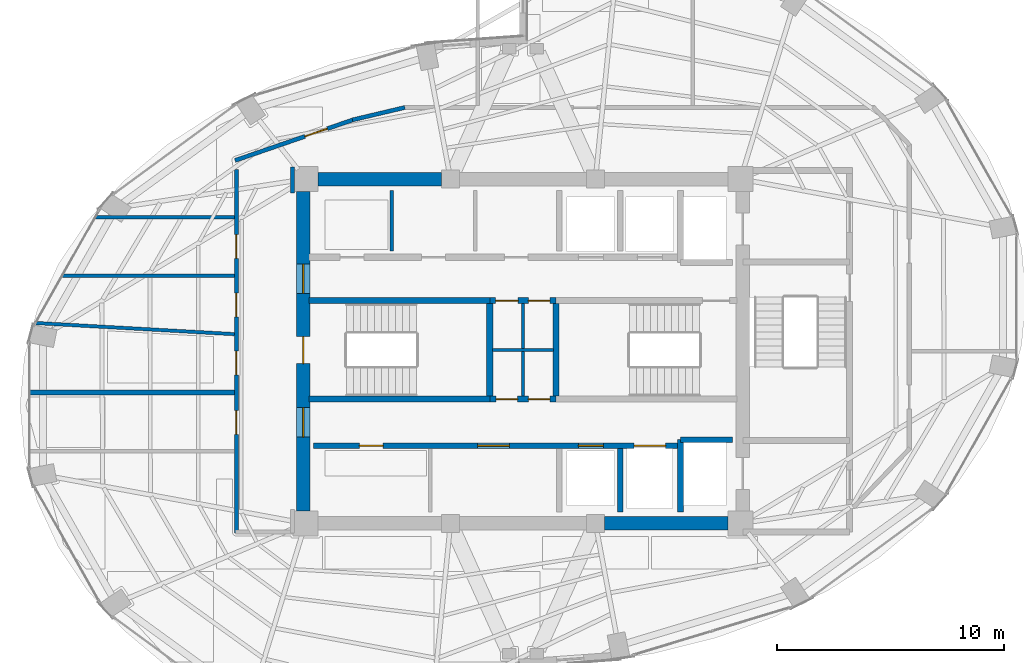
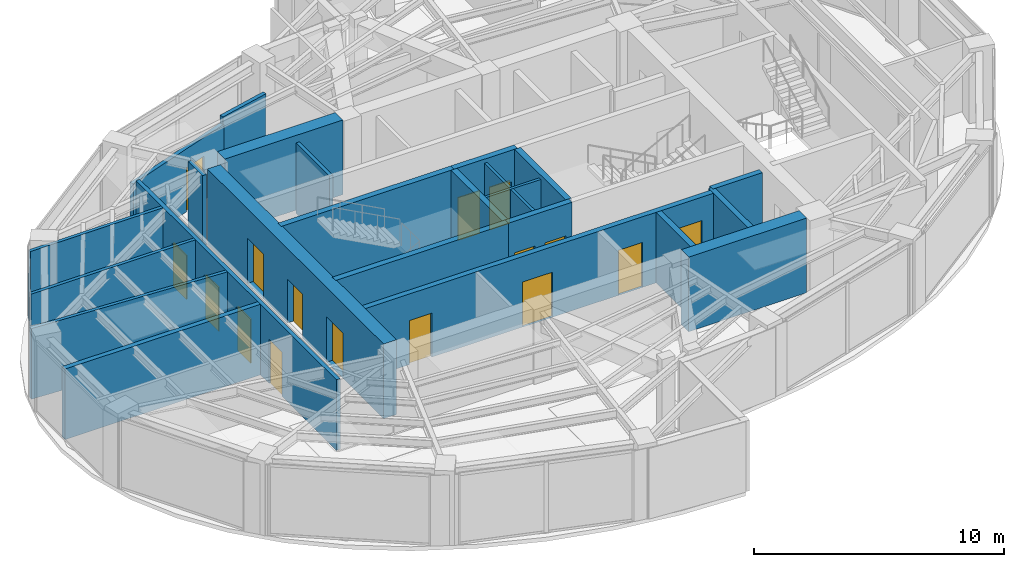
# One storey, part 19 of 23: 24 walls, 16 doors, 16 openings.
"""IFC4 building model written with IfcOpenShell, lengths in metres."""

from ifc_helpers import new_model, si_unit, direction, frame, frame_2d, origin, place, context, subcontext, project, spatial, rectangle, extrude, material, layer, layer_set, type_object, element, fill, save


model = new_model("IFC4")

# Units and contexts
model_context = context("Model", 3, precision=1e-05, world=origin(), true_north=direction((0.0, 1.0)))
body_context = subcontext(model_context, "Body", "Model", "MODEL_VIEW")
ifc_project = project(units=[si_unit("LENGTHUNIT", "METRE"), si_unit("AREAUNIT", "SQUARE_METRE"), si_unit("VOLUMEUNIT", "CUBIC_METRE"), si_unit("PLANEANGLEUNIT", "RADIAN"), si_unit("MASSUNIT", "GRAM", prefix="KILO")], contexts=[model_context])

# Site, building, storey
site_placement = place(None, origin())
site = spatial("IfcSite", under=ifc_project, at=site_placement, CompositionType="ELEMENT")
building_placement = place(site_placement, origin())
building = spatial("IfcBuilding", under=site, at=building_placement, Name="Lazwardi Medical Tower", CompositionType="ELEMENT")
storey_placement = place(building_placement, frame((0.0, 0.0, 213.072021484375)))
storey = spatial("IfcBuildingStorey", under=building, at=storey_placement, Name="L55", CompositionType="ELEMENT", Elevation=213.072021484375)

# Wall, opening, door
ifc_material_1 = material(Name="Fire-rated gypsum board on steel stud", Category="steel")
ifc_layer_1 = layer(ifc_material_1, 0.179931640625)
ifc_layer_set_1 = layer_set([ifc_layer_1], Name="Fire-rated gypsum board on steel stud")
wall_type_1 = type_object("IfcWallType", Name="WL-COR-180", PredefinedType="PARTITIONING", material=ifc_layer_set_1)
wall_1_placement = place(storey_placement, frame((23.294189453125, 36.422119140625, 0.0), z_axis=(0.0, 0.0, 1.0), x_axis=(0.945493277461, 0.325641616316, 0.0)))
wall_1 = element("IfcWall", 1, at=wall_1_placement, inside=storey, type_object=wall_type_1, Name="L55 Corridor partition 1", PredefinedType="PARTITIONING", context=body_context, shape_type="SweptSolid", body=[
    extrude(rectangle(XDim=5.5615234375, YDim=0.179931640625, at=frame_2d((2.78076171875, 0.0))), origin(), (0.0, 0.0, 1.0), 3.072998046875),
])
opening_1_placement = place(wall_1_placement, frame((3.255859375, 0.0, 0.0)))
opening_1 = element("IfcOpeningElement", 2, at=opening_1_placement, cuts=wall_1, Name="Opening D-L55-019", PredefinedType="OPENING", context=body_context, shape_type="SweptSolid", body=[
    extrude(rectangle(XDim=1.050048828125, YDim=2.14990234375, at=frame_2d((0.52490234375, 1.074951171875))), frame((0.0, 0.099853515625, 0.0), z_axis=(0.0, -1.0, 0.0), x_axis=(1.0, 0.0, 0.0)), (0.0, 0.0, 1.0), 0.199951171875),
])
ifc_material_2 = material(Name="Anti-microbial laminate hospital leaf")
door_type_1 = type_object("IfcDoorType", Name="DR-CLN-1050", OperationType="NOTDEFINED", PredefinedType="DOOR", material=ifc_material_2)
door_1_placement = place(opening_1_placement, origin())
door_1 = element("IfcDoor", 3, at=door_1_placement, inside=storey, type_object=door_type_1, Name="L55 Outpatient Consultation Suite Door 06", OperationType="SINGLE_SWING_RIGHT", OverallHeight=2.14990234375, OverallWidth=1.050048828125, PredefinedType="DOOR", context=body_context, shape_type="SweptSolid", body=[
    extrude(rectangle(XDim=1.050048828125, YDim=2.14990234375, at=frame_2d((0.52490234375, 1.074951171875))), frame((0.0, 0.02490234375, 0.0), z_axis=(0.0, -1.0, 0.0), x_axis=(1.0, 0.0, 0.0)), (0.0, 0.0, 1.0), 0.050048828125),
])
fill(opening_1, door_1)

# Walls
wall_2_placement = place(storey_placement, frame((28.475830078125, 38.2109375, 0.0), z_axis=(0.0, 0.0, 1.0), x_axis=(0.973030562203, 0.230676234189, 0.0)))
element("IfcWall", 4, at=wall_2_placement, inside=storey, type_object=wall_type_1, Name="L55 Corridor partition 2", PredefinedType="PARTITIONING", context=body_context, shape_type="SweptSolid", body=[
    extrude(rectangle(XDim=2.377197265625, YDim=0.179931640625, at=frame_2d((1.1884765625, 0.0))), origin(), (0.0, 0.0, 1.0), 3.447998046875),
])
wall_3_placement = place(storey_placement, frame((25.830078125, 36.139892578125, 0.0), z_axis=(0.0, 0.0, 1.0), x_axis=(0.0, -1.0, 0.0)))
element("IfcWall", 5, at=wall_3_placement, inside=storey, type_object=wall_type_1, Name="L55 Corridor partition 7", PredefinedType="PARTITIONING", context=body_context, shape_type="SweptSolid", body=[
    extrude(rectangle(XDim=1.14990234375, YDim=0.179931640625, at=frame_2d((0.574951171875, 0.0))), origin(), (0.0, 0.0, 1.0), 3.447998046875),
])

# Wall, openings, doors
wall_4_placement = place(storey_placement, frame((23.35009765625, 19.97998046875, 0.0), z_axis=(0.0, 0.0, 1.0), x_axis=(0.0, 1.0, 0.0)))
wall_4 = element("IfcWall", 6, at=wall_4_placement, inside=storey, type_object=wall_type_1, Name="L55 Corridor partition 10", PredefinedType="PARTITIONING", context=body_context, shape_type="SweptSolid", body=[
    extrude(rectangle(XDim=16.04248046875, YDim=0.179931640625, at=frame_2d((8.021240234375, 0.0))), origin(), (0.0, 0.0, 1.0), 3.447998046875),
])
opening_2_placement = place(wall_4_placement, frame((6.974853515625, 0.0, 0.0)))
opening_2 = element("IfcOpeningElement", 7, at=opening_2_placement, cuts=wall_4, Name="Opening D-L55-014", PredefinedType="OPENING", context=body_context, shape_type="SweptSolid", body=[
    extrude(rectangle(XDim=1.050048828125, YDim=2.14990234375, at=frame_2d((0.52490234375, 1.074951171875))), frame((0.0, 0.099853515625, 0.0), z_axis=(0.0, -1.0, 0.0), x_axis=(1.0, 0.0, 0.0)), (0.0, 0.0, 1.0), 0.199951171875),
])
opening_3_placement = place(wall_4_placement, frame((4.3525390625, 0.0, 0.0)))
opening_3 = element("IfcOpeningElement", 8, at=opening_3_placement, cuts=wall_4, Name="Opening D-L55-015", PredefinedType="OPENING", context=body_context, shape_type="SweptSolid", body=[
    extrude(rectangle(XDim=1.050048828125, YDim=2.14990234375, at=frame_2d((0.52490234375, 1.074951171875))), frame((0.0, 0.099853515625, 0.0), z_axis=(0.0, -1.0, 0.0), x_axis=(1.0, 0.0, 0.0)), (0.0, 0.0, 1.0), 0.199951171875),
])
opening_4_placement = place(wall_4_placement, frame((12.1201171875, 0.0, 0.0)))
opening_4 = element("IfcOpeningElement", 9, at=opening_4_placement, cuts=wall_4, Name="Opening D-L55-020", PredefinedType="OPENING", context=body_context, shape_type="SweptSolid", body=[
    extrude(rectangle(XDim=1.050048828125, YDim=2.14990234375, at=frame_2d((0.52490234375, 1.074951171875))), frame((0.0, 0.099853515625, 0.0), z_axis=(0.0, -1.0, 0.0), x_axis=(1.0, 0.0, 0.0)), (0.0, 0.0, 1.0), 0.199951171875),
])
opening_5_placement = place(wall_4_placement, frame((9.537109375, 0.0, 0.0)))
opening_5 = element("IfcOpeningElement", 10, at=opening_5_placement, cuts=wall_4, Name="Opening D-L55-021", PredefinedType="OPENING", context=body_context, shape_type="SweptSolid", body=[
    extrude(rectangle(XDim=1.050048828125, YDim=2.14990234375, at=frame_2d((0.52490234375, 1.074951171875))), frame((0.0, 0.099853515625, 0.0), z_axis=(0.0, -1.0, 0.0), x_axis=(1.0, 0.0, 0.0)), (0.0, 0.0, 1.0), 0.199951171875),
])
door_2_placement = place(opening_2_placement, origin())
door_2 = element("IfcDoor", 11, at=door_2_placement, inside=storey, type_object=door_type_1, Name="L55 Outpatient Consultation Suite Door 01", OperationType="SINGLE_SWING_LEFT", OverallHeight=2.14990234375, OverallWidth=1.050048828125, PredefinedType="DOOR", context=body_context, shape_type="SweptSolid", body=[
    extrude(rectangle(XDim=1.050048828125, YDim=2.14990234375, at=frame_2d((0.52490234375, 1.074951171875))), frame((0.0, 0.02490234375, 0.0), z_axis=(0.0, -1.0, 0.0), x_axis=(1.0, 0.0, 0.0)), (0.0, 0.0, 1.0), 0.050048828125),
])
fill(opening_2, door_2)
door_3_placement = place(opening_3_placement, origin())
door_3 = element("IfcDoor", 12, at=door_3_placement, inside=storey, type_object=door_type_1, Name="L55 Outpatient Clinic Door 02", OperationType="SINGLE_SWING_RIGHT", OverallHeight=2.14990234375, OverallWidth=1.050048828125, PredefinedType="DOOR", context=body_context, shape_type="SweptSolid", body=[
    extrude(rectangle(XDim=1.050048828125, YDim=2.14990234375, at=frame_2d((0.52490234375, 1.074951171875))), frame((0.0, 0.02490234375, 0.0), z_axis=(0.0, -1.0, 0.0), x_axis=(1.0, 0.0, 0.0)), (0.0, 0.0, 1.0), 0.050048828125),
])
fill(opening_3, door_3)
door_4_placement = place(opening_4_placement, origin())
door_4 = element("IfcDoor", 13, at=door_4_placement, inside=storey, type_object=door_type_1, Name="L55 Outpatient Consultation Suite Door 07", OperationType="SINGLE_SWING_LEFT", OverallHeight=2.14990234375, OverallWidth=1.050048828125, PredefinedType="DOOR", context=body_context, shape_type="SweptSolid", body=[
    extrude(rectangle(XDim=1.050048828125, YDim=2.14990234375, at=frame_2d((0.52490234375, 1.074951171875))), frame((0.0, 0.02490234375, 0.0), z_axis=(0.0, -1.0, 0.0), x_axis=(1.0, 0.0, 0.0)), (0.0, 0.0, 1.0), 0.050048828125),
])
fill(opening_4, door_4)
door_5_placement = place(opening_5_placement, origin())
door_5 = element("IfcDoor", 14, at=door_5_placement, inside=storey, type_object=door_type_1, Name="L55 Outpatient Consultation Suite Door 08", OperationType="SINGLE_SWING_RIGHT", OverallHeight=2.14990234375, OverallWidth=1.050048828125, PredefinedType="DOOR", context=body_context, shape_type="SweptSolid", body=[
    extrude(rectangle(XDim=1.050048828125, YDim=2.14990234375, at=frame_2d((0.52490234375, 1.074951171875))), frame((0.0, 0.02490234375, 0.0), z_axis=(0.0, -1.0, 0.0), x_axis=(1.0, 0.0, 0.0)), (0.0, 0.0, 1.0), 0.050048828125),
])
fill(opening_5, door_5)

ifc_material_3 = material(Name="Concrete C60/75", Category="concrete")
ifc_layer_2 = layer(ifc_material_3, 0.60009765625)
ifc_layer_set_2 = layer_set([ifc_layer_2], Name="Concrete C60/75")
wall_type_2 = type_object("IfcWallType", Name="WL-CORE-600", PredefinedType="SHEAR", material=ifc_layer_set_2)
wall_5_placement = place(storey_placement, frame((26.300048828125, 20.949951171875, 0.0), z_axis=(0.0, 0.0, 1.0), x_axis=(0.0, 1.0, 0.0)))
wall_5 = element("IfcWall", 15, at=wall_5_placement, inside=storey, type_object=wall_type_2, Name="Core wall CW-S3 west L55", PredefinedType="SHEAR", context=body_context, shape_type="SweptSolid", body=[
    extrude(rectangle(XDim=14.10009765625, YDim=0.60009765625, at=frame_2d((7.050048828125, 0.0))), origin(), (0.0, 0.0, 1.0), 3.64794921875),
])
opening_6_placement = place(wall_5_placement, frame((6.5, 0.0, 0.0)))
opening_6 = element("IfcOpeningElement", 16, at=opening_6_placement, cuts=wall_5, Name="Opening D-L55-022", PredefinedType="OPENING", context=body_context, shape_type="SweptSolid", body=[
    extrude(rectangle(XDim=1.199951171875, YDim=2.14990234375, at=frame_2d((0.60009765625, 1.074951171875))), frame((0.0, 0.31005859375, 0.0), z_axis=(0.0, -1.0, 0.0), x_axis=(1.0, 0.0, 0.0)), (0.0, 0.0, 1.0), 0.6201171875),
])
opening_7_placement = place(wall_5_placement, frame((9.60009765625, 0.0, 0.0)))
opening_7 = element("IfcOpeningElement", 17, at=opening_7_placement, cuts=wall_5, Name="Opening D-L55-012", PredefinedType="OPENING", context=body_context, shape_type="SweptSolid", body=[
    extrude(rectangle(XDim=1.300048828125, YDim=2.199951171875, at=frame_2d((0.64990234375, 1.10009765625))), frame((0.0, 0.31005859375, 0.0), z_axis=(0.0, -1.0, 0.0), x_axis=(1.0, 0.0, 0.0)), (0.0, 0.0, 1.0), 0.6201171875),
])
opening_8_placement = place(wall_5_placement, frame((3.260009765625, 0.0, 0.0)))
opening_8 = element("IfcOpeningElement", 18, at=opening_8_placement, cuts=wall_5, Name="Opening D-L55-013", PredefinedType="OPENING", context=body_context, shape_type="SweptSolid", body=[
    extrude(rectangle(XDim=1.300048828125, YDim=2.199951171875, at=frame_2d((0.64990234375, 1.10009765625))), frame((0.0, 0.31005859375, 0.0), z_axis=(0.0, -1.0, 0.0), x_axis=(1.0, 0.0, 0.0)), (0.0, 0.0, 1.0), 0.6201171875),
])
ifc_material_4 = material(Name="Fire-rated steel leaf and frame", Category="steel")
door_type_2 = type_object("IfcDoorType", Name="DR-FFL-1300", OperationType="NOTDEFINED", PredefinedType="DOOR", material=ifc_material_4)
door_6_placement = place(opening_7_placement, origin())
door_6 = element("IfcDoor", 19, at=door_6_placement, inside=storey, type_object=door_type_2, Name="L55 North Lift Lobby Door", OperationType="SINGLE_SWING_LEFT", OverallHeight=2.199951171875, OverallWidth=1.300048828125, PredefinedType="DOOR", context=body_context, shape_type="SweptSolid", body=[
    extrude(rectangle(XDim=1.300048828125, YDim=2.199951171875, at=frame_2d((0.64990234375, 1.10009765625))), frame((0.0, 0.02490234375, 0.0), z_axis=(0.0, -1.0, 0.0), x_axis=(1.0, 0.0, 0.0)), (0.0, 0.0, 1.0), 0.050048828125),
])
fill(opening_7, door_6)
door_7_placement = place(opening_8_placement, origin())
door_7 = element("IfcDoor", 20, at=door_7_placement, inside=storey, type_object=door_type_2, Name="L55 South Lift Lobby Door", OperationType="SINGLE_SWING_RIGHT", OverallHeight=2.199951171875, OverallWidth=1.300048828125, PredefinedType="DOOR", context=body_context, shape_type="SweptSolid", body=[
    extrude(rectangle(XDim=1.300048828125, YDim=2.199951171875, at=frame_2d((0.64990234375, 1.10009765625))), frame((0.0, 0.02490234375, 0.0), z_axis=(0.0, -1.0, 0.0), x_axis=(1.0, 0.0, 0.0)), (0.0, 0.0, 1.0), 0.050048828125),
])
fill(opening_8, door_7)
door_type_3 = type_object("IfcDoorType", Name="DR-STR-1200", OperationType="NOTDEFINED", PredefinedType="DOOR", material=ifc_material_4)
door_8_placement = place(opening_6_placement, origin())
door_8 = element("IfcDoor", 21, at=door_8_placement, inside=storey, type_object=door_type_3, Name="L55 Exit Stair ST1 Door", OperationType="SINGLE_SWING_LEFT", OverallHeight=2.14990234375, OverallWidth=1.199951171875, PredefinedType="DOOR", context=body_context, shape_type="SweptSolid", body=[
    extrude(rectangle(XDim=1.199951171875, YDim=2.14990234375, at=frame_2d((0.60009765625, 1.074951171875))), frame((0.0, 0.02490234375, 0.0), z_axis=(0.0, -1.0, 0.0), x_axis=(1.0, 0.0, 0.0)), (0.0, 0.0, 1.0), 0.050048828125),
])
fill(opening_6, door_8)

# Walls
for number, where, z_axis, x_axis, name in (
    (22, (26.949951171875, 35.60009765625, 0.0), (0.0, 0.0, 1.0), (1.0, 0.0, 0.0), "Core wall CW-S3 N1 L55"),
    (23, (39.60009765625, 20.39990234375, 0.0), (0.0, 0.0, 1.0), (1.0, 0.0, 0.0), "Core wall CW-S3 S3 L55"),
):
    element("IfcWall", number, at=place(storey_placement, frame(where, z_axis=z_axis, x_axis=x_axis)), inside=storey, type_object=wall_type_2, Name=name, PredefinedType="SHEAR", context=body_context, shape_type="SweptSolid", body=[
        extrude(rectangle(XDim=5.449951171875, YDim=0.60009765625, at=frame_2d((2.72509765625, 0.0))), origin(), (0.0, 0.0, 1.0), 3.64794921875),
    ])
ifc_material_5 = material(Name="Moisture-resistant gypsum board partition")
ifc_layer_3 = layer(ifc_material_5, 0.125)
ifc_layer_set_3 = layer_set([ifc_layer_3], Name="Moisture-resistant gypsum board partition")
wall_type_3 = type_object("IfcWallType", Name="WL-ENS-125", PredefinedType="PARTITIONING", material=ifc_layer_set_3)
wall_6_placement = place(storey_placement, frame((34.64990234375, 28.06005859375, 0.0), z_axis=(0.0, 0.0, 1.0), x_axis=(1.0, 0.0, 0.0)))
element("IfcWall", 24, at=wall_6_placement, inside=storey, type_object=wall_type_3, Name="L55 Core 4-way H divider", PredefinedType="PARTITIONING", context=body_context, shape_type="SweptSolid", body=[
    extrude(rectangle(XDim=2.7001953125, YDim=0.125, at=frame_2d((1.35009765625, 0.0))), origin(), (0.0, 0.0, 1.0), 3.447998046875),
])
wall_7_placement = place(storey_placement, frame((36.0, 26.02001953125, 0.0), z_axis=(0.0, 0.0, 1.0), x_axis=(0.0, 1.0, 0.0)))
element("IfcWall", 25, at=wall_7_placement, inside=storey, type_object=wall_type_3, Name="L55 Core 4-way V divider", PredefinedType="PARTITIONING", context=body_context, shape_type="SweptSolid", body=[
    extrude(rectangle(XDim=4.080078125, YDim=0.125, at=frame_2d((2.0400390625, 0.0))), origin(), (0.0, 0.0, 1.0), 3.447998046875),
])

# Wall, openings, doors
ifc_material_6 = material(Name="Autoclaved aerated concrete blockwork", Category="masonry")
ifc_layer_4 = layer(ifc_material_6, 0.25)
ifc_layer_set_4 = layer_set([ifc_layer_4], Name="Autoclaved aerated concrete blockwork")
wall_type_4 = type_object("IfcWallType", Name="WL-SHAFT-250", PredefinedType="SOLIDWALL", material=ifc_layer_set_4)
wall_8_placement = place(storey_placement, frame((26.75, 23.830078125, 0.0), z_axis=(0.0, 0.0, 1.0), x_axis=(1.0, 0.0, 0.0)))
wall_8 = element("IfcWall", 26, at=wall_8_placement, inside=storey, type_object=wall_type_4, Name="L55 South lift bank front wall", PredefinedType="SOLIDWALL", context=body_context, shape_type="SweptSolid", body=[
    extrude(rectangle(XDim=16.199951171875, YDim=0.25, at=frame_2d((8.10009765625, 0.0))), origin(), (0.0, 0.0, 1.0), 3.447998046875),
])
opening_9_placement = place(wall_8_placement, frame((2.02490234375, 0.0, 0.0)))
opening_9 = element("IfcOpeningElement", 27, at=opening_9_placement, cuts=wall_8, Name="Opening D-L55-008", PredefinedType="OPENING", context=body_context, shape_type="SweptSolid", body=[
    extrude(rectangle(XDim=1.050048828125, YDim=2.14990234375, at=frame_2d((0.52490234375, 1.074951171875))), frame((0.0, 0.135009765625, 0.0), z_axis=(0.0, -1.0, 0.0), x_axis=(1.0, 0.0, 0.0)), (0.0, 0.0, 1.0), 0.27001953125),
])
opening_10_placement = place(wall_8_placement, frame((7.25, 0.0, 0.0)))
opening_10 = element("IfcOpeningElement", 28, at=opening_10_placement, cuts=wall_8, Name="Opening D-L55-009", PredefinedType="OPENING", context=body_context, shape_type="SweptSolid", body=[
    extrude(rectangle(XDim=1.39990234375, YDim=2.199951171875, at=frame_2d((0.699951171875, 1.10009765625))), frame((0.0, 0.135009765625, 0.0), z_axis=(0.0, -1.0, 0.0), x_axis=(1.0, 0.0, 0.0)), (0.0, 0.0, 1.0), 0.27001953125),
])
opening_11_placement = place(wall_8_placement, frame((11.699951171875, 0.0, 0.0)))
opening_11 = element("IfcOpeningElement", 29, at=opening_11_placement, cuts=wall_8, Name="Opening LD-L55-006", PredefinedType="OPENING", context=body_context, shape_type="SweptSolid", body=[
    extrude(rectangle(XDim=1.10009765625, YDim=2.199951171875, at=frame_2d((0.550048828125, 1.10009765625))), frame((0.0, 0.135009765625, 0.0), z_axis=(0.0, -1.0, 0.0), x_axis=(1.0, 0.0, 0.0)), (0.0, 0.0, 1.0), 0.27001953125),
])
opening_12_placement = place(wall_8_placement, frame((14.14990234375, 0.0, 0.0)))
opening_12 = element("IfcOpeningElement", 30, at=opening_12_placement, cuts=wall_8, Name="Opening LD-L55-003", PredefinedType="OPENING", context=body_context, shape_type="SweptSolid", body=[
    extrude(rectangle(XDim=1.39990234375, YDim=2.300048828125, at=frame_2d((0.699951171875, 1.14990234375))), frame((0.0, 0.135009765625, 0.0), z_axis=(0.0, -1.0, 0.0), x_axis=(1.0, 0.0, 0.0)), (0.0, 0.0, 1.0), 0.27001953125),
])
door_type_4 = type_object("IfcDoorType", Name="DR-BED-1400", OperationType="NOTDEFINED", PredefinedType="DOOR", material=ifc_material_2)
door_9_placement = place(opening_10_placement, origin())
door_9 = element("IfcDoor", 31, at=door_9_placement, inside=storey, type_object=door_type_4, Name="L55 Dialysis Door", OperationType="SINGLE_SWING_LEFT", OverallHeight=2.199951171875, OverallWidth=1.39990234375, PredefinedType="DOOR", context=body_context, shape_type="SweptSolid", body=[
    extrude(rectangle(XDim=1.39990234375, YDim=2.199951171875, at=frame_2d((0.699951171875, 1.10009765625))), frame((0.0, 0.02490234375, 0.0), z_axis=(0.0, -1.0, 0.0), x_axis=(1.0, 0.0, 0.0)), (0.0, 0.0, 1.0), 0.050048828125),
])
fill(opening_10, door_9)
door_10_placement = place(opening_9_placement, origin())
door_10 = element("IfcDoor", 32, at=door_10_placement, inside=storey, type_object=door_type_1, Name="L55 Clinical Laboratory Door", OperationType="SINGLE_SWING_RIGHT", OverallHeight=2.14990234375, OverallWidth=1.050048828125, PredefinedType="DOOR", context=body_context, shape_type="SweptSolid", body=[
    extrude(rectangle(XDim=1.050048828125, YDim=2.14990234375, at=frame_2d((0.52490234375, 1.074951171875))), frame((0.0, 0.02490234375, 0.0), z_axis=(0.0, -1.0, 0.0), x_axis=(1.0, 0.0, 0.0)), (0.0, 0.0, 1.0), 0.050048828125),
])
fill(opening_9, door_10)
ifc_material_7 = material(Name="Brushed bronze stainless steel landing door", Category="steel")
door_type_5 = type_object("IfcDoorType", Name="DR-LFT-1100", OperationType="NOTDEFINED", PredefinedType="DOOR", material=ifc_material_7)
door_11_placement = place(opening_11_placement, origin())
door_11 = element("IfcDoor", 33, at=door_11_placement, inside=storey, type_object=door_type_5, Name="L55 Lift Landing Door PL-11", OperationType="SLIDING_TO_LEFT", OverallHeight=2.199951171875, OverallWidth=1.10009765625, PredefinedType="DOOR", context=body_context, shape_type="SweptSolid", body=[
    extrude(rectangle(XDim=1.10009765625, YDim=2.199951171875, at=frame_2d((0.550048828125, 1.10009765625))), frame((0.0, 0.02490234375, 0.0), z_axis=(0.0, -1.0, 0.0), x_axis=(1.0, 0.0, 0.0)), (0.0, 0.0, 1.0), 0.050048828125),
])
fill(opening_11, door_11)
ifc_material_8 = material(Name="Brushed stainless steel bed-lift landing door", Category="steel")
door_type_6 = type_object("IfcDoorType", Name="DR-LFT-1400", OperationType="NOTDEFINED", PredefinedType="DOOR", material=ifc_material_8)
door_12_placement = place(opening_12_placement, origin())
door_12 = element("IfcDoor", 34, at=door_12_placement, inside=storey, type_object=door_type_6, Name="L55 Lift Landing Door FL-03", OperationType="SLIDING_TO_LEFT", OverallHeight=2.300048828125, OverallWidth=1.39990234375, PredefinedType="DOOR", context=body_context, shape_type="SweptSolid", body=[
    extrude(rectangle(XDim=1.39990234375, YDim=2.300048828125, at=frame_2d((0.699951171875, 1.14990234375))), frame((0.0, 0.02490234375, 0.0), z_axis=(0.0, -1.0, 0.0), x_axis=(1.0, 0.0, 0.0)), (0.0, 0.0, 1.0), 0.050048828125),
])
fill(opening_12, door_12)

# Walls
wall_9_placement = place(storey_placement, frame((42.949951171875, 20.89990234375, 0.0), z_axis=(0.0, 0.0, 1.0), x_axis=(0.0, 1.0, 0.0)))
element("IfcWall", 35, at=wall_9_placement, inside=storey, type_object=wall_type_4, Name="L55 FL-02 West shaft wall", PredefinedType="SOLIDWALL", context=body_context, shape_type="SweptSolid", body=[
    extrude(rectangle(XDim=3.2001953125, YDim=0.25, at=frame_2d((1.60009765625, 0.0))), origin(), (0.0, 0.0, 1.0), 3.447998046875),
])
wall_10_placement = place(storey_placement, frame((42.949951171875, 24.10009765625, 0.0), z_axis=(0.0, 0.0, 1.0), x_axis=(1.0, 0.0, 0.0)))
element("IfcWall", 36, at=wall_10_placement, inside=storey, type_object=wall_type_4, Name="L55 FL-02 North shaft wall", PredefinedType="SOLIDWALL", context=body_context, shape_type="SweptSolid", body=[
    extrude(rectangle(XDim=2.300048828125, YDim=0.25, at=frame_2d((1.14990234375, 0.0))), origin(), (0.0, 0.0, 1.0), 3.447998046875),
])
wall_11_placement = place(storey_placement, frame((40.300048828125, 20.89990234375, 0.0), z_axis=(0.0, 0.0, 1.0), x_axis=(0.0, 1.0, 0.0)))
element("IfcWall", 37, at=wall_11_placement, inside=storey, type_object=wall_type_4, Name="L55 South hoistway divider", PredefinedType="SOLIDWALL", context=body_context, shape_type="SweptSolid", body=[
    extrude(rectangle(XDim=2.800048828125, YDim=0.25, at=frame_2d((1.39990234375, 0.0))), origin(), (0.0, 0.0, 1.0), 3.447998046875),
])
ifc_layer_5 = layer(ifc_material_1, 0.219970703125)
ifc_layer_set_5 = layer_set([ifc_layer_5], Name="Fire-rated gypsum board on steel stud")
wall_type_5 = type_object("IfcWallType", Name="WL-SMK-220", PredefinedType="PARTITIONING", material=ifc_layer_set_5)
wall_12_placement = place(storey_placement, frame((14.228271484375, 26.169921875, 0.0), z_axis=(0.0, 0.0, 1.0), x_axis=(1.0, 0.0, 0.0)))
element("IfcWall", 38, at=wall_12_placement, inside=storey, type_object=wall_type_5, Name="L55 Room partition 2", PredefinedType="PARTITIONING", context=body_context, shape_type="SweptSolid", body=[
    extrude(rectangle(XDim=9.03173828125, YDim=0.219970703125, at=frame_2d((4.515869140625, 0.0))), origin(), (0.0, 0.0, 1.0), 3.447998046875),
])
ifc_material_9 = material(Name="Concrete C50/60", Category="concrete")
ifc_layer_6 = layer(ifc_material_9, 0.27001953125)
ifc_layer_set_6 = layer_set([ifc_layer_6], Name="Concrete C50/60")
wall_type_6 = type_object("IfcWallType", Name="WL-STR-250", PredefinedType="SHEAR", material=ifc_layer_set_6)
wall_13_placement = place(storey_placement, frame((26.550048828125, 30.235107421875, 0.0), z_axis=(0.0, 0.0, 1.0), x_axis=(1.0, 0.0, 0.0)))
element("IfcWall", 39, at=wall_13_placement, inside=storey, type_object=wall_type_6, Name="L55 ST1 North shear shaft wall SW-S1", PredefinedType="SHEAR", context=body_context, shape_type="SweptSolid", body=[
    extrude(rectangle(XDim=7.98486328125, YDim=0.27001953125, at=frame_2d((3.992431640625, 0.0))), origin(), (0.0, 0.0, 1.0), 3.64794921875),
])

# Wall, openings, doors
wall_14_placement = place(storey_placement, frame((34.534912109375, 30.235107421875, 0.0), z_axis=(0.0, 0.0, 1.0), x_axis=(1.0, 0.0, 0.0)))
wall_14 = element("IfcWall", 40, at=wall_14_placement, inside=storey, type_object=wall_type_6, Name="L55 Core service North shear wall SW-S1", PredefinedType="SHEAR", context=body_context, shape_type="SweptSolid", body=[
    extrude(rectangle(XDim=2.93017578125, YDim=0.27001953125, at=frame_2d((1.465087890625, 0.0))), origin(), (0.0, 0.0, 1.0), 3.64794921875),
])
opening_13_placement = place(wall_14_placement, frame((0.2548828125, 0.0, 0.0)))
opening_13 = element("IfcOpeningElement", 41, at=opening_13_placement, cuts=wall_14, Name="Opening D-L55-003", PredefinedType="OPENING", context=body_context, shape_type="SweptSolid", body=[
    extrude(rectangle(XDim=1.0, YDim=2.10009765625, at=frame_2d((0.5, 1.050048828125))), frame((0.0, 0.14501953125, 0.0), z_axis=(0.0, -1.0, 0.0), x_axis=(1.0, 0.0, 0.0)), (0.0, 0.0, 1.0), 0.2900390625),
])
opening_14_placement = place(wall_14_placement, frame((1.699951171875, 0.0, 0.0)))
opening_14 = element("IfcOpeningElement", 42, at=opening_14_placement, cuts=wall_14, Name="Opening D-L55-004", PredefinedType="OPENING", context=body_context, shape_type="SweptSolid", body=[
    extrude(rectangle(XDim=0.949951171875, YDim=2.10009765625, at=frame_2d((0.47509765625, 1.050048828125))), frame((0.0, 0.14501953125, 0.0), z_axis=(0.0, -1.0, 0.0), x_axis=(1.0, 0.0, 0.0)), (0.0, 0.0, 1.0), 0.2900390625),
])
ifc_material_10 = material(Name="Moisture-resistant laminate door leaf")
door_type_7 = type_object("IfcDoorType", Name="DR-AWC-1000", OperationType="NOTDEFINED", PredefinedType="DOOR", material=ifc_material_10)
door_13_placement = place(opening_13_placement, origin())
door_13 = element("IfcDoor", 43, at=door_13_placement, inside=storey, type_object=door_type_7, Name="L55 Accessible WC Door", OperationType="SINGLE_SWING_LEFT", OverallHeight=2.10009765625, OverallWidth=1.0, PredefinedType="DOOR", context=body_context, shape_type="SweptSolid", body=[
    extrude(rectangle(XDim=1.0, YDim=2.10009765625, at=frame_2d((0.5, 1.050048828125))), frame((0.0, 0.02490234375, 0.0), z_axis=(0.0, -1.0, 0.0), x_axis=(1.0, 0.0, 0.0)), (0.0, 0.0, 1.0), 0.050048828125),
])
fill(opening_13, door_13)
door_type_8 = type_object("IfcDoorType", Name="DR-ENS-950", OperationType="NOTDEFINED", PredefinedType="DOOR", material=ifc_material_10)
door_14_placement = place(opening_14_placement, origin())
door_14 = element("IfcDoor", 44, at=door_14_placement, inside=storey, type_object=door_type_8, Name="L55 Clean Utility Door", OperationType="SINGLE_SWING_RIGHT", OverallHeight=2.10009765625, OverallWidth=0.949951171875, PredefinedType="DOOR", context=body_context, shape_type="SweptSolid", body=[
    extrude(rectangle(XDim=0.949951171875, YDim=2.10009765625, at=frame_2d((0.47509765625, 1.050048828125))), frame((0.0, 0.02490234375, 0.0), z_axis=(0.0, -1.0, 0.0), x_axis=(1.0, 0.0, 0.0)), (0.0, 0.0, 1.0), 0.050048828125),
])
fill(opening_14, door_14)

# Wall
wall_15_placement = place(storey_placement, frame((26.550048828125, 25.885009765625, 0.0), z_axis=(0.0, 0.0, 1.0), x_axis=(1.0, 0.0, 0.0)))
element("IfcWall", 45, at=wall_15_placement, inside=storey, type_object=wall_type_6, Name="L55 ST1 South shear shaft wall SW-S1", PredefinedType="SHEAR", context=body_context, shape_type="SweptSolid", body=[
    extrude(rectangle(XDim=7.98486328125, YDim=0.27001953125, at=frame_2d((3.992431640625, 0.0))), origin(), (0.0, 0.0, 1.0), 3.64794921875),
])

# Wall, openings, doors
wall_16_placement = place(storey_placement, frame((34.534912109375, 25.885009765625, 0.0), z_axis=(0.0, 0.0, 1.0), x_axis=(1.0, 0.0, 0.0)))
wall_16 = element("IfcWall", 46, at=wall_16_placement, inside=storey, type_object=wall_type_6, Name="L55 Core service South shear wall SW-S1", PredefinedType="SHEAR", context=body_context, shape_type="SweptSolid", body=[
    extrude(rectangle(XDim=2.93017578125, YDim=0.27001953125, at=frame_2d((1.465087890625, 0.0))), origin(), (0.0, 0.0, 1.0), 3.64794921875),
])
opening_15_placement = place(wall_16_placement, frame((0.280029296875, 0.0, 0.0)))
opening_15 = element("IfcOpeningElement", 47, at=opening_15_placement, cuts=wall_16, Name="Opening D-L55-001", PredefinedType="OPENING", context=body_context, shape_type="SweptSolid", body=[
    extrude(rectangle(XDim=0.949951171875, YDim=2.10009765625, at=frame_2d((0.47509765625, 1.050048828125))), frame((0.0, 0.14501953125, 0.0), z_axis=(0.0, -1.0, 0.0), x_axis=(1.0, 0.0, 0.0)), (0.0, 0.0, 1.0), 0.2900390625),
])
opening_16_placement = place(wall_16_placement, frame((1.699951171875, 0.0, 0.0)))
opening_16 = element("IfcOpeningElement", 48, at=opening_16_placement, cuts=wall_16, Name="Opening D-L55-002", PredefinedType="OPENING", context=body_context, shape_type="SweptSolid", body=[
    extrude(rectangle(XDim=0.949951171875, YDim=2.10009765625, at=frame_2d((0.47509765625, 1.050048828125))), frame((0.0, 0.14501953125, 0.0), z_axis=(0.0, -1.0, 0.0), x_axis=(1.0, 0.0, 0.0)), (0.0, 0.0, 1.0), 0.2900390625),
])
door_15_placement = place(opening_15_placement, origin())
door_15 = element("IfcDoor", 49, at=door_15_placement, inside=storey, type_object=door_type_8, Name="L55 Staff WC Door", OperationType="SINGLE_SWING_LEFT", OverallHeight=2.10009765625, OverallWidth=0.949951171875, PredefinedType="DOOR", context=body_context, shape_type="SweptSolid", body=[
    extrude(rectangle(XDim=0.949951171875, YDim=2.10009765625, at=frame_2d((0.47509765625, 1.050048828125))), frame((0.0, 0.02490234375, 0.0), z_axis=(0.0, -1.0, 0.0), x_axis=(1.0, 0.0, 0.0)), (0.0, 0.0, 1.0), 0.050048828125),
])
fill(opening_15, door_15)
door_16_placement = place(opening_16_placement, origin())
door_16 = element("IfcDoor", 50, at=door_16_placement, inside=storey, type_object=door_type_8, Name="L55 Comms Room Door", OperationType="SINGLE_SWING_RIGHT", OverallHeight=2.10009765625, OverallWidth=0.949951171875, PredefinedType="DOOR", context=body_context, shape_type="SweptSolid", body=[
    extrude(rectangle(XDim=0.949951171875, YDim=2.10009765625, at=frame_2d((0.47509765625, 1.050048828125))), frame((0.0, 0.02490234375, 0.0), z_axis=(0.0, -1.0, 0.0), x_axis=(1.0, 0.0, 0.0)), (0.0, 0.0, 1.0), 0.050048828125),
])
fill(opening_16, door_16)

# Walls
for number, where, z_axis, x_axis, name in (
    (51, (34.534912109375, 26.02001953125, 0.0), (0.0, 0.0, 1.0), (0.0, 1.0, 0.0), "L55 ST1 East shear shaft wall SW-S1"),
    (52, (37.465087890625, 26.02001953125, 0.0), (0.0, 0.0, 1.0), (0.0, 1.0, 0.0), "L55 ST2 West shear shaft wall SW-S1"),
):
    element("IfcWall", number, at=place(storey_placement, frame(where, z_axis=z_axis, x_axis=x_axis)), inside=storey, type_object=wall_type_6, Name=name, PredefinedType="SHEAR", context=body_context, shape_type="SweptSolid", body=[
        extrude(rectangle(XDim=4.080078125, YDim=0.27001953125, at=frame_2d((2.0400390625, 0.0))), origin(), (0.0, 0.0, 1.0), 3.64794921875),
    ])
ifc_material_11 = material(Name="Acoustic gypsum board partition")
ifc_layer_7 = layer(ifc_material_11, 0.14990234375)
ifc_layer_set_7 = layer_set([ifc_layer_7], Name="Acoustic gypsum board partition")
wall_type_7 = type_object("IfcWallType", Name="WL-WRD-150", PredefinedType="PARTITIONING", material=ifc_layer_set_7)
wall_17_placement = place(storey_placement, frame((30.199951171875, 32.419921875, 0.0), z_axis=(0.0, 0.0, 1.0), x_axis=(0.0, 1.0, 0.0)))
element("IfcWall", 53, at=wall_17_placement, inside=storey, type_object=wall_type_7, Name="L55 Freed bay2 N split A", PredefinedType="PARTITIONING", context=body_context, shape_type="SweptSolid", body=[
    extrude(rectangle(XDim=2.68017578125, YDim=0.14990234375, at=frame_2d((1.340087890625, 0.0))), origin(), (0.0, 0.0, 1.0), 3.447998046875),
])
wall_18_placement = place(storey_placement, frame((14.476806640625, 29.24658203125, 0.0), z_axis=(0.0, 0.0, 1.0), x_axis=(0.998432044673, -0.05597724689, 0.0)))
element("IfcWall", 54, at=wall_18_placement, inside=storey, type_object=wall_type_7, Name="L55 Room partition 3", PredefinedType="PARTITIONING", context=body_context, shape_type="SweptSolid", body=[
    extrude(rectangle(XDim=8.796875, YDim=0.14990234375, at=frame_2d((4.3984375, 0.0))), origin(), (0.0, 0.0, 1.0), 3.447998046875),
])
wall_19_placement = place(storey_placement, frame((15.668701171875, 31.330078125, 0.0), z_axis=(0.0, 0.0, 1.0), x_axis=(1.0, 0.0, 0.0)))
element("IfcWall", 55, at=wall_19_placement, inside=storey, type_object=wall_type_7, Name="L55 Room partition 4", PredefinedType="PARTITIONING", context=body_context, shape_type="SweptSolid", body=[
    extrude(rectangle(XDim=7.59130859375, YDim=0.14990234375, at=frame_2d((3.795654296875, 0.0))), origin(), (0.0, 0.0, 1.0), 3.447998046875),
])
wall_20_placement = place(storey_placement, frame((17.132080078125, 33.919921875, 0.0), z_axis=(0.0, 0.0, 1.0), x_axis=(1.0, 0.0, 0.0)))
element("IfcWall", 56, at=wall_20_placement, inside=storey, type_object=wall_type_7, Name="L55 Room partition 5", PredefinedType="PARTITIONING", context=body_context, shape_type="SweptSolid", body=[
    extrude(rectangle(XDim=6.1279296875, YDim=0.14990234375, at=frame_2d((3.06396484375, 0.0))), origin(), (0.0, 0.0, 1.0), 3.447998046875),
])

save(model, "model.ifc")
